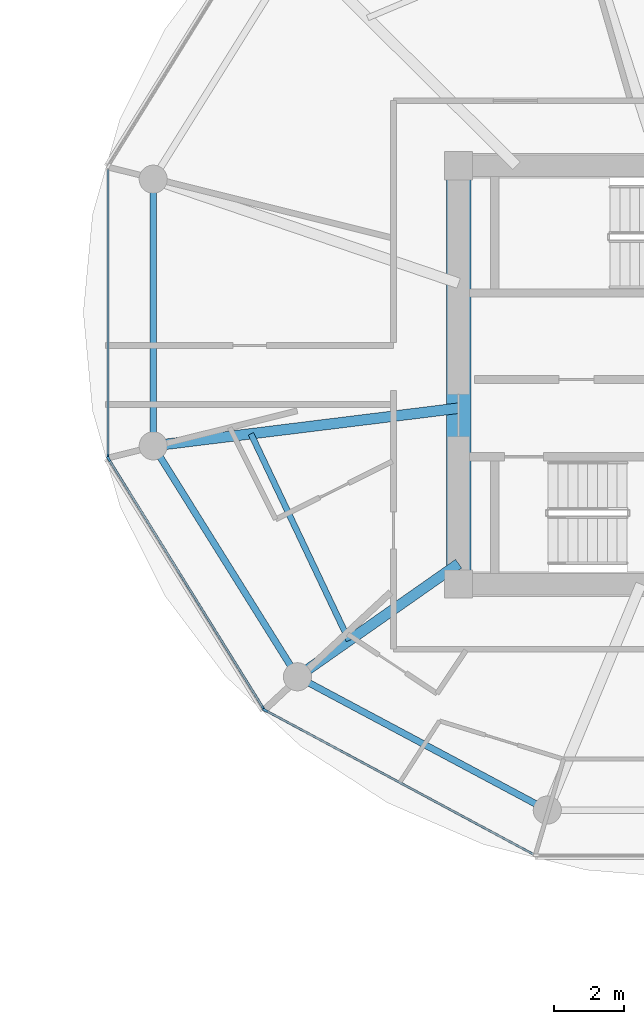
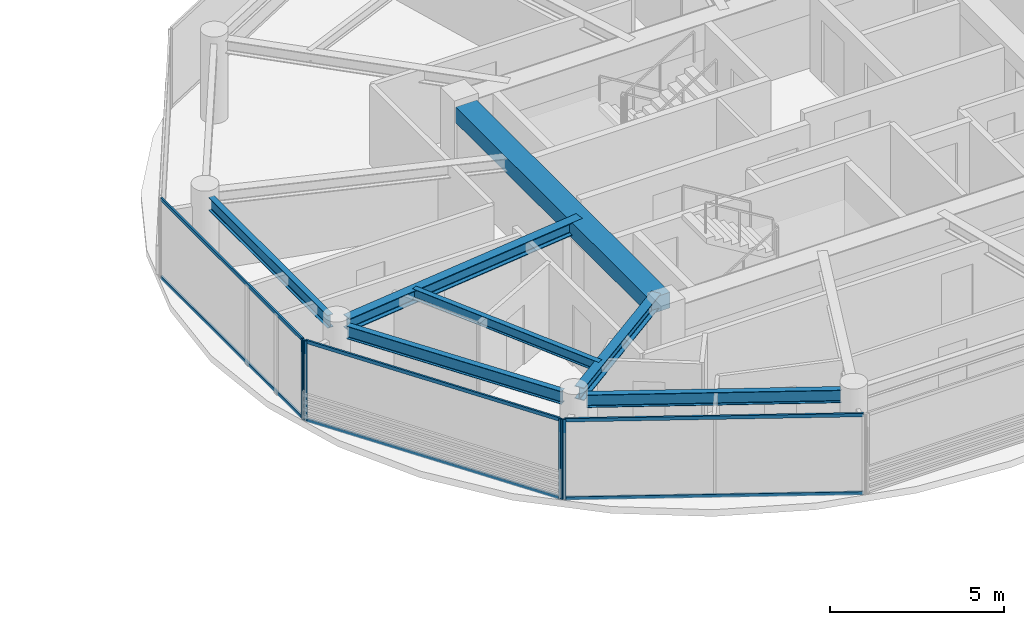
# One storey, part 6 of 22: 10 members, 7 beams, 3 elements without a shape of their own.
"""IFC4 building model written with IfcOpenShell, lengths in metres."""

from ifc_helpers import new_model, si_unit, direction, frame, origin, origin_2d, place, context, subcontext, project, spatial, rectangle, i_section, extrude, source, transform, mapped, material, layer, layer_set, material_profile, profile_set, type_object, type_shapes, element, aggregate, save


model = new_model("IFC4")

# Units and contexts
model_context = context("Model", 3, precision=1e-05, world=origin(), true_north=direction((0.0, 1.0)))
body_context = subcontext(model_context, "Body", "Model", "MODEL_VIEW")
ifc_project = project(units=[si_unit("LENGTHUNIT", "METRE"), si_unit("AREAUNIT", "SQUARE_METRE"), si_unit("VOLUMEUNIT", "CUBIC_METRE"), si_unit("PLANEANGLEUNIT", "RADIAN"), si_unit("MASSUNIT", "GRAM", prefix="KILO")], contexts=[model_context])

# Site, building, storey
site_placement = place(None, origin())
site = spatial("IfcSite", under=ifc_project, at=site_placement, CompositionType="ELEMENT")
building_placement = place(site_placement, origin())
building = spatial("IfcBuilding", under=site, at=building_placement, Name="Norrkilde Senior Care Towers", CompositionType="ELEMENT")
storey_placement = place(building_placement, frame((0.0, 0.0, 167.85009765625)))
storey = spatial("IfcBuildingStorey", under=building, at=storey_placement, Name="L52", CompositionType="ELEMENT", Elevation=167.85009765625)

# Beams
ifc_material_1 = material(Name="Concrete C60/75", Category="concrete")
ifc_material_profile_1 = material_profile(ifc_material_1, rectangle(XDim=0.699951171875, YDim=0.550048828125, at=origin_2d()), Name="RC BM 700x550")
ifc_profile_set_1 = profile_set([ifc_material_profile_1], Name="Concrete C60/75")
beam_type_1 = type_object("IfcBeamType", Name="Core Portal Coupling Beam 700x550", PredefinedType="USERDEFINED", material=ifc_profile_set_1)
shared_shape_1 = source(origin(), body_context, "Body", "SweptSolid", [
    extrude(rectangle(XDim=0.699951171875, YDim=0.550048828125, at=origin_2d()), origin(), (0.0, 0.0, 1.0), 11.14013671875),
])
type_shapes(beam_type_1, [shared_shape_1])
beam_1_placement = place(storey_placement, frame((20.35009765625, -5.570068359375, 2.534912109375), z_axis=(0.0, 1.0, 0.0), x_axis=(-1.0, 0.0, 0.0)))
element("IfcBeam", 1, at=beam_1_placement, inside=storey, type_object=beam_type_1, Name="L52 Core E W Coupling Girder", ObjectType="GIRDER", PredefinedType="USERDEFINED", context=body_context, shape_type="MappedRepresentation", body=[
    mapped(shared_shape_1, transform((0.0, 0.0, 0.0), x_axis=(1.0, 0.0, 0.0), y_axis=(0.0, 1.0, 0.0), z_axis=(0.0, 0.0, 1.0), scale=1.0)),
])
ifc_material_2 = material(Name="Steel S355", Category="steel")
ifc_material_profile_2 = material_profile(ifc_material_2, i_section(OverallWidth=0.18994140625, OverallDepth=0.449951171875, WebThickness=0.009521484375, FlangeThickness=0.0146484375, FilletRadius=0.02099609375, at=origin_2d()), Name="IPE 450")
ifc_profile_set_2 = profile_set([ifc_material_profile_2], Name="Steel S355")
beam_type_2 = type_object("IfcBeamType", Name="Perimeter Ring Spandrel Z3 IPE450", PredefinedType="SPANDREL", material=ifc_profile_set_2)
shared_shape_2 = source(origin(), body_context, "Body", "SweptSolid", [
    extrude(i_section(OverallWidth=0.18994140625, OverallDepth=0.449951171875, WebThickness=0.009521484375, FlangeThickness=0.0146484375, FilletRadius=0.02099609375, at=origin_2d()), origin(), (0.0, 0.0, 1.0), 6.86328125),
])
beam_2_placement = place(storey_placement, frame((11.6650390625, 5.20703125, 2.5849609375), z_axis=(0.0, -1.0, 0.0), x_axis=(1.0, 0.0, 0.0)))
element("IfcBeam", 2, at=beam_2_placement, inside=storey, type_object=beam_type_2, Name="L52 Drum E Perimeter Spandrel 06", PredefinedType="SPANDREL", context=body_context, shape_type="MappedRepresentation", body=[
    mapped(shared_shape_2, transform((0.0, 0.0, 0.0), x_axis=(1.0, 0.0, 0.0), y_axis=(0.0, 1.0, 0.0), z_axis=(0.0, 0.0, 1.0), scale=1.0)),
])
shared_shape_3 = source(origin(), body_context, "Body", "SweptSolid", [
    extrude(i_section(OverallWidth=0.18994140625, OverallDepth=0.449951171875, WebThickness=0.009521484375, FlangeThickness=0.0146484375, FilletRadius=0.02099609375, at=origin_2d()), origin(), (0.0, 0.0, 1.0), 7.023193359375),
])
beam_3_placement = place(storey_placement, frame((11.855712890625, -2.32177734375, 2.5849609375), z_axis=(0.529805197269, -0.848119362441, 0.0), x_axis=(0.848119362441, 0.529805197269, 0.0)))
element("IfcBeam", 3, at=beam_3_placement, inside=storey, type_object=beam_type_2, Name="L52 Drum E Perimeter Spandrel 07", PredefinedType="SPANDREL", context=body_context, shape_type="MappedRepresentation", body=[
    mapped(shared_shape_3, transform((0.0, 0.0, 0.0), x_axis=(1.0, 0.0, 0.0), y_axis=(0.0, 1.0, 0.0), z_axis=(0.0, 0.0, 1.0), scale=1.0)),
])
shared_shape_4 = source(origin(), body_context, "Body", "SweptSolid", [
    extrude(i_section(OverallWidth=0.18994140625, OverallDepth=0.449951171875, WebThickness=0.009521484375, FlangeThickness=0.0146484375, FilletRadius=0.02099609375, at=origin_2d()), origin(), (0.0, 0.0, 1.0), 7.333984375),
])
type_shapes(beam_type_2, [shared_shape_2, shared_shape_3, shared_shape_4])
beam_4_placement = place(storey_placement, frame((16.0849609375, -8.753173828125, 2.5849609375), z_axis=(0.882234038987, -0.470811109101, 0.0), x_axis=(0.470811109101, 0.882234038987, 0.0)))
element("IfcBeam", 4, at=beam_4_placement, inside=storey, type_object=beam_type_2, Name="L52 Drum E Perimeter Spandrel 08", PredefinedType="SPANDREL", context=body_context, shape_type="MappedRepresentation", body=[
    mapped(shared_shape_4, transform((0.0, 0.0, 0.0), x_axis=(1.0, 0.0, 0.0), y_axis=(0.0, 1.0, 0.0), z_axis=(0.0, 0.0, 1.0), scale=1.0)),
])
ifc_material_profile_3 = material_profile(ifc_material_2, i_section(OverallWidth=0.300048828125, OverallDepth=0.449951171875, WebThickness=0.013916015625, FlangeThickness=0.02587890625, FilletRadius=0.027099609375, at=origin_2d()), Name="HEB 450")
ifc_profile_set_3 = profile_set([ifc_material_profile_3], Name="Steel S355")
beam_type_3 = type_object("IfcBeamType", Name="Radial Floor Beam Z3 HEB450", PredefinedType="BEAM", material=ifc_profile_set_3)
shared_shape_5 = source(origin(), body_context, "Body", "SweptSolid", [
    extrude(i_section(OverallWidth=0.300048828125, OverallDepth=0.449951171875, WebThickness=0.013916015625, FlangeThickness=0.02587890625, FilletRadius=0.027099609375, at=origin_2d()), origin(), (0.0, 0.0, 1.0), 5.23828125),
])
beam_5_placement = place(storey_placement, frame((20.35009765625, -5.3681640625, 2.5849609375), z_axis=(-0.818592061291, -0.574375345215, 0.0), x_axis=(0.574375345215, -0.818592061291, 0.0)))
element("IfcBeam", 5, at=beam_5_placement, inside=storey, type_object=beam_type_3, Name="L52 Drum E Radial Floor Beam 08", PredefinedType="BEAM", context=body_context, shape_type="MappedRepresentation", body=[
    mapped(shared_shape_5, transform((0.0, 0.0, 0.0), x_axis=(1.0, 0.0, 0.0), y_axis=(0.0, 1.0, 0.0), z_axis=(0.0, 0.0, 1.0), scale=1.0)),
])
shared_shape_6 = source(origin(), body_context, "Body", "SweptSolid", [
    extrude(i_section(OverallWidth=0.300048828125, OverallDepth=0.449951171875, WebThickness=0.013916015625, FlangeThickness=0.02587890625, FilletRadius=0.027099609375, at=origin_2d()), origin(), (0.0, 0.0, 1.0), 8.390869140625),
])
type_shapes(beam_type_3, [shared_shape_5, shared_shape_6])
beam_6_placement = place(storey_placement, frame((20.35009765625, -0.9443359375, 2.5849609375), z_axis=(-0.99246916403, -0.122494728249, 0.0), x_axis=(0.122494728249, -0.99246916403, 0.0)))
element("IfcBeam", 6, at=beam_6_placement, inside=storey, type_object=beam_type_3, Name="L52 Drum E Radial Floor Beam 07", PredefinedType="BEAM", context=body_context, shape_type="MappedRepresentation", body=[
    mapped(shared_shape_6, transform((0.0, 0.0, 0.0), x_axis=(1.0, 0.0, 0.0), y_axis=(0.0, 1.0, 0.0), z_axis=(0.0, 0.0, 1.0), scale=1.0)),
])
ifc_material_profile_4 = material_profile(ifc_material_2, i_section(OverallWidth=0.169921875, OverallDepth=0.360107421875, WebThickness=0.008056640625, FlangeThickness=0.0126953125, FilletRadius=0.01806640625, at=origin_2d()), Name="IPE 360")
ifc_profile_set_4 = profile_set([ifc_material_profile_4], Name="Steel S355")
beam_type_4 = type_object("IfcBeamType", Name="Secondary Floor Joist IPE360", PredefinedType="JOIST", material=ifc_profile_set_4)
shared_shape_7 = source(origin(), body_context, "Body", "SweptSolid", [
    extrude(i_section(OverallWidth=0.169921875, OverallDepth=0.360107421875, WebThickness=0.008056640625, FlangeThickness=0.0126953125, FilletRadius=0.01806640625, at=origin_2d()), origin(), (0.0, 0.0, 1.0), 6.50927734375),
])
type_shapes(beam_type_4, [shared_shape_7])
beam_7_placement = place(storey_placement, frame((14.4443359375, -1.67333984375, 2.6298828125), z_axis=(0.428544169129, -0.90352083269, 0.0), x_axis=(0.90352083269, 0.428544169129, 0.0)))
element("IfcBeam", 7, at=beam_7_placement, inside=storey, type_object=beam_type_4, Name="L52 Drum E Secondary Floor Joist 3", PredefinedType="JOIST", context=body_context, shape_type="MappedRepresentation", body=[
    mapped(shared_shape_7, transform((0.0, 0.0, 0.0), x_axis=(1.0, 0.0, 0.0), y_axis=(0.0, 1.0, 0.0), z_axis=(0.0, 0.0, 1.0), scale=1.0)),
])

# Curtain wall, members
ifc_material_3 = material(Name="Triple Low-E Insulated Glazing", Category="glass")
ifc_layer = layer(ifc_material_3, 0.18994140625)
ifc_layer_set = layer_set([ifc_layer], Name="Triple Low-E Insulated Glazing")
curtain_wall_type = type_object("IfcCurtainWallType", Name="CW4 Zone 3 Senior Residence Curtain Wall", PredefinedType="NOTDEFINED", material=ifc_layer_set)
curtain_wall_1_placement = place(storey_placement, origin())
curtain_wall_1 = element("IfcCurtainWall", 8, at=curtain_wall_1_placement, inside=storey, type_object=curtain_wall_type, Name="L52 Drum E Curtain Wall 06", PredefinedType="NOTDEFINED")
ifc_material_4 = material(Name="Anodised Aluminium", Category="aluminium")
ifc_material_profile_5 = material_profile(ifc_material_4, rectangle(XDim=0.06005859375, YDim=0.1201171875, at=origin_2d()), Name="ALU TRAN 60x120")
ifc_profile_set_5 = profile_set([ifc_material_profile_5], Name="Anodised Aluminium")
member_type_1 = type_object("IfcMemberType", Name="Curtain Wall Transom Typical 60x120", PredefinedType="USERDEFINED", material=ifc_profile_set_5)
shared_shape_8 = source(origin(), body_context, "Body", "SweptSolid", [
    extrude(rectangle(XDim=0.06005859375, YDim=0.1201171875, at=origin_2d()), origin(), (0.0, 0.0, 1.0), 8.301513671875),
])
member_1_placement = place(storey_placement, frame((14.792724609375, -9.468994140625, 0.02978515625), z_axis=(-0.527368718394, 0.849636531029, 0.0), x_axis=(-0.849636531029, -0.527368718394, 0.0)))
member_1 = element("IfcMember", 9, at=member_1_placement, type_object=member_type_1, Name="CW-4 transom 1.1", ObjectType="TRANSOM", PredefinedType="USERDEFINED", context=body_context, shape_type="MappedRepresentation", body=[
    mapped(shared_shape_8, transform((0.0, 0.0, 0.0), x_axis=(1.0, 0.0, 0.0), y_axis=(0.0, 1.0, 0.0), z_axis=(0.0, 0.0, 1.0), scale=1.0)),
])
member_2_placement = place(storey_placement, frame((14.792724609375, -9.468994140625, 2.77978515625), z_axis=(-0.527368718394, 0.849636531029, 0.0), x_axis=(-0.849636531029, -0.527368718394, 0.0)))
member_2 = element("IfcMember", 10, at=member_2_placement, type_object=member_type_1, Name="CW-4 transom 1.2", ObjectType="TRANSOM", PredefinedType="USERDEFINED", context=body_context, shape_type="MappedRepresentation", body=[
    mapped(shared_shape_8, transform((0.0, 0.0, 0.0), x_axis=(1.0, 0.0, 0.0), y_axis=(0.0, 1.0, 0.0), z_axis=(0.0, 0.0, 1.0), scale=1.0)),
])

curtain_wall_2_placement = place(storey_placement, origin())
curtain_wall_2 = element("IfcCurtainWall", 11, at=curtain_wall_2_placement, inside=storey, type_object=curtain_wall_type, Name="L52 Drum E Curtain Wall 07", PredefinedType="NOTDEFINED")
shared_shape_9 = source(origin(), body_context, "Body", "SweptSolid", [
    extrude(rectangle(XDim=0.06005859375, YDim=0.1201171875, at=origin_2d()), origin(), (0.0, 0.0, 1.0), 8.61181640625),
])
member_3_placement = place(storey_placement, frame((22.47119140625, -13.62939453125, 0.02978515625), z_axis=(-0.880993991641, 0.473127452906, 0.0), x_axis=(-0.473127452906, -0.880993991641, 0.0)))
member_3 = element("IfcMember", 12, at=member_3_placement, type_object=member_type_1, Name="CW-4 transom 1.1", ObjectType="TRANSOM", PredefinedType="USERDEFINED", context=body_context, shape_type="MappedRepresentation", body=[
    mapped(shared_shape_9, transform((0.0, 0.0, 0.0), x_axis=(1.0, 0.0, 0.0), y_axis=(0.0, 1.0, 0.0), z_axis=(0.0, 0.0, 1.0), scale=1.0)),
])
member_4_placement = place(storey_placement, frame((22.47119140625, -13.62939453125, 2.77978515625), z_axis=(-0.880993991641, 0.473127452906, 0.0), x_axis=(-0.473127452906, -0.880993991641, 0.0)))
member_4 = element("IfcMember", 13, at=member_4_placement, type_object=member_type_1, Name="CW-4 transom 1.2", ObjectType="TRANSOM", PredefinedType="USERDEFINED", context=body_context, shape_type="MappedRepresentation", body=[
    mapped(shared_shape_9, transform((0.0, 0.0, 0.0), x_axis=(1.0, 0.0, 0.0), y_axis=(0.0, 1.0, 0.0), z_axis=(0.0, 0.0, 1.0), scale=1.0)),
])

curtain_wall_3_placement = place(storey_placement, origin())
curtain_wall_3 = element("IfcCurtainWall", 14, at=curtain_wall_3_placement, inside=storey, type_object=curtain_wall_type, Name="L52 Drum E Curtain Wall 05", PredefinedType="NOTDEFINED")
shared_shape_10 = source(origin(), body_context, "Body", "SweptSolid", [
    extrude(rectangle(XDim=0.06005859375, YDim=0.1201171875, at=origin_2d()), origin(), (0.0, 0.0, 1.0), 8.141845703125),
])
type_shapes(member_type_1, [shared_shape_8, shared_shape_9, shared_shape_10])
member_5_placement = place(storey_placement, frame((10.38037109375, -2.295654296875, 0.02978515625), z_axis=(0.0, 1.0, 0.0), x_axis=(-1.0, 0.0, 0.0)))
member_5 = element("IfcMember", 15, at=member_5_placement, type_object=member_type_1, Name="CW-4 transom 1.1", ObjectType="TRANSOM", PredefinedType="USERDEFINED", context=body_context, shape_type="MappedRepresentation", body=[
    mapped(shared_shape_10, transform((0.0, 0.0, 0.0), x_axis=(1.0, 0.0, 0.0), y_axis=(0.0, 1.0, 0.0), z_axis=(0.0, 0.0, 1.0), scale=1.0)),
])
member_6_placement = place(storey_placement, frame((10.38037109375, -2.295654296875, 2.77978515625), z_axis=(0.0, 1.0, 0.0), x_axis=(-1.0, 0.0, 0.0)))
member_6 = element("IfcMember", 16, at=member_6_placement, type_object=member_type_1, Name="CW-4 transom 1.2", ObjectType="TRANSOM", PredefinedType="USERDEFINED", context=body_context, shape_type="MappedRepresentation", body=[
    mapped(shared_shape_10, transform((0.0, 0.0, 0.0), x_axis=(1.0, 0.0, 0.0), y_axis=(0.0, 1.0, 0.0), z_axis=(0.0, 0.0, 1.0), scale=1.0)),
])
ifc_material_profile_6 = material_profile(ifc_material_4, rectangle(XDim=0.06494140625, YDim=0.14990234375, at=origin_2d()), Name="ALU MULL 65x150")
ifc_profile_set_6 = profile_set([ifc_material_profile_6], Name="Anodised Aluminium")
member_type_2 = type_object("IfcMemberType", Name="Curtain Wall Mullion Z3-Z4 65x150", PredefinedType="MULLION", material=ifc_profile_set_6)
shared_shape_11 = source(origin(), body_context, "Body", "SweptSolid", [
    extrude(rectangle(XDim=0.06494140625, YDim=0.14990234375, at=origin_2d()), origin(), (0.0, 0.0, 1.0), 2.809814453125),
])
type_shapes(member_type_2, [shared_shape_11])
member_7_placement = place(storey_placement, frame((10.38037109375, -2.328125, 0.0), z_axis=(0.0, 0.0, 1.0), x_axis=(-1.0, 0.0, 0.0)))
member_7 = element("IfcMember", 17, at=member_7_placement, type_object=member_type_2, Name="CW-4 mullion 1", PredefinedType="MULLION", context=body_context, shape_type="MappedRepresentation", body=[
    mapped(shared_shape_11, transform((0.0, 0.0, 0.0), x_axis=(1.0, 0.0, 0.0), y_axis=(0.0, 1.0, 0.0), z_axis=(0.0, 0.0, 1.0), scale=1.0)),
])
aggregate(curtain_wall_3, [member_7, member_5, member_6])

# Member
member_8_placement = place(storey_placement, frame((14.809814453125, -9.49658203125, 0.0), z_axis=(0.0, 0.0, 1.0), x_axis=(-0.84963405474, -0.52737270789, 0.0)))
member_8 = element("IfcMember", 18, at=member_8_placement, type_object=member_type_2, Name="CW-4 mullion 1", PredefinedType="MULLION", context=body_context, shape_type="MappedRepresentation", body=[
    mapped(shared_shape_11, transform((0.0, 0.0, 0.0), x_axis=(1.0, 0.0, 0.0), y_axis=(0.0, 1.0, 0.0), z_axis=(0.0, 0.0, 1.0), scale=1.0)),
])

member_9_placement = place(storey_placement, frame((10.3974609375, -2.38818359375, 0.0), z_axis=(0.0, 0.0, 1.0), x_axis=(-0.84963405474, -0.52737270789, 0.0)))
member_9 = element("IfcMember", 19, at=member_9_placement, type_object=member_type_2, Name="CW-4 mullion 2", PredefinedType="MULLION", context=body_context, shape_type="MappedRepresentation", body=[
    mapped(shared_shape_11, transform((0.0, 0.0, 0.0), x_axis=(1.0, 0.0, 0.0), y_axis=(0.0, 1.0, 0.0), z_axis=(0.0, 0.0, 1.0), scale=1.0)),
])

aggregate(curtain_wall_1, [member_8, member_9, member_1, member_2])

member_10_placement = place(storey_placement, frame((14.85546875, -9.53955078125, 0.0), z_axis=(0.0, 0.0, 1.0), x_axis=(-0.47311715104, -0.880999524059, 0.0)))
member_10 = element("IfcMember", 20, at=member_10_placement, type_object=member_type_2, Name="CW-4 mullion 2", PredefinedType="MULLION", context=body_context, shape_type="MappedRepresentation", body=[
    mapped(shared_shape_11, transform((0.0, 0.0, 0.0), x_axis=(1.0, 0.0, 0.0), y_axis=(0.0, 1.0, 0.0), z_axis=(0.0, 0.0, 1.0), scale=1.0)),
])

aggregate(curtain_wall_2, [member_10, member_3, member_4])

save(model, "model.ifc")
